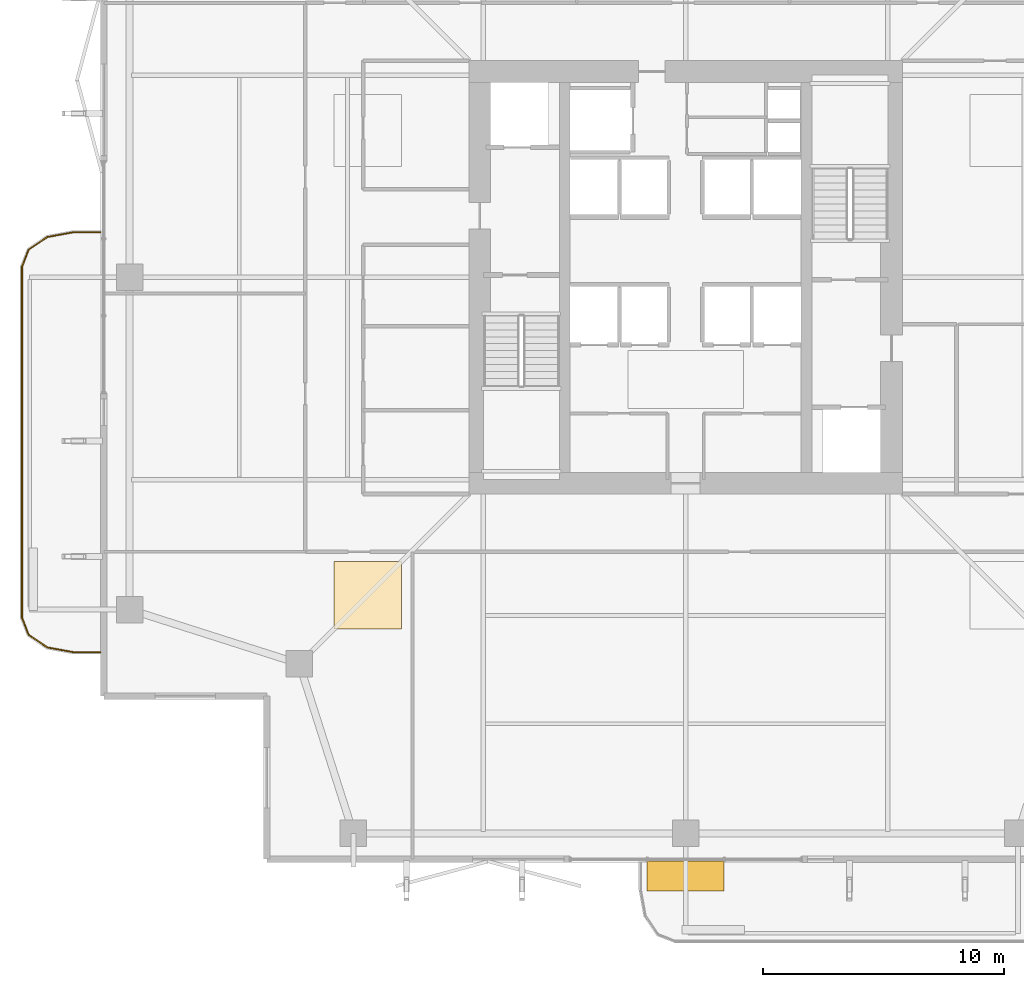
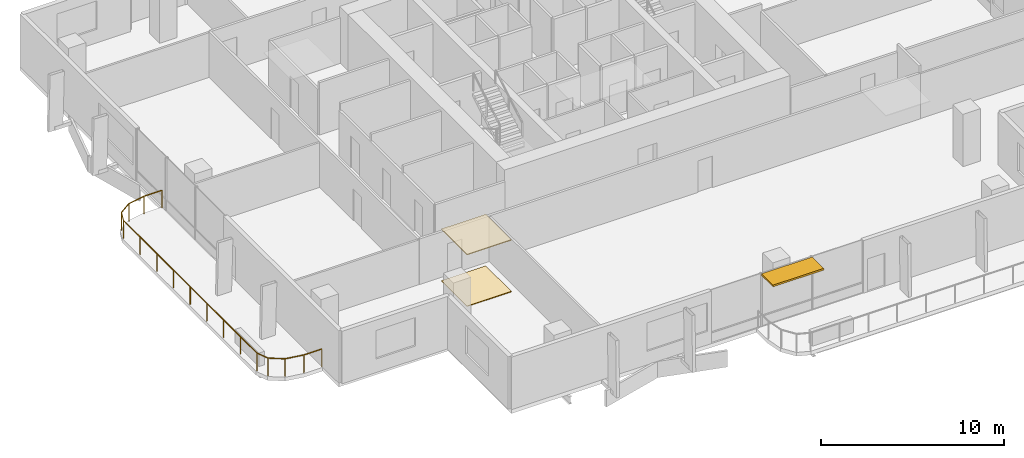
# One storey, part 22 of 25: 2 coverings, 1 railing, 1 shading device.
"""IFC4 building model written with IfcOpenShell, lengths in metres."""

from ifc_helpers import new_model, si_unit, direction, frame, origin, origin_2d, place, context, subcontext, project, spatial, polyline, rectangle, outline, extrude, material, layer, layer_set, type_object, element, save


model = new_model("IFC4")

# Units and contexts
model_context = context("Model", 3, precision=1e-05, world=origin(), true_north=direction((0.0, 1.0)))
body_context = subcontext(model_context, "Body", "Model", "MODEL_VIEW")
ifc_project = project(units=[si_unit("LENGTHUNIT", "METRE"), si_unit("AREAUNIT", "SQUARE_METRE"), si_unit("VOLUMEUNIT", "CUBIC_METRE"), si_unit("PLANEANGLEUNIT", "RADIAN"), si_unit("MASSUNIT", "GRAM", prefix="KILO")], contexts=[model_context])

# Site, building, storey
site_placement = place(None, origin())
site = spatial("IfcSite", under=ifc_project, at=site_placement, CompositionType="ELEMENT")
building_placement = place(site_placement, origin())
building = spatial("IfcBuilding", under=site, at=building_placement, Name="Belovzor Exchange Tower", CompositionType="ELEMENT")
storey_placement = place(building_placement, frame((0.0, 0.0, 164.550048828125)))
storey = spatial("IfcBuildingStorey", under=building, at=storey_placement, Name="L40", CompositionType="ELEMENT", Elevation=164.550048828125)

# Railing
ifc_material_1 = material(Name="Stainless Steel and Laminated Safety Glass", Category="steel")
railing_type = type_object("IfcRailingType", Name="Laminated Glass & Stainless Steel Balcony Balustrade 1200", PredefinedType="BALUSTRADE", material=ifc_material_1)
railing_placement = place(storey_placement, frame((4.489990234375, 30.669921875, 0.0)))
element("IfcRailing", 1, at=railing_placement, inside=storey, type_object=railing_type, Name="GR-1 Balcony Balustrade L40 West", PredefinedType="BALUSTRADE", context=body_context, shape_type="SweptSolid", body=[
    extrude(rectangle(XDim=0.048095703125, YDim=0.048095703125, at=origin_2d()), frame((0.0, 0.0, 1.17578125), z_axis=(-1.0, 0.0, 0.0), x_axis=(0.0, -1.0, 0.0)), (0.0, 0.0, 1.0), 1.133056640625),
    extrude(rectangle(XDim=0.048095703125, YDim=0.048095703125, at=origin_2d()), frame((-1.133056640625, 0.0, 1.17578125), z_axis=(-0.983644145941, -0.180122719713, 0.0), x_axis=(0.180122719713, -0.983644145941, 0.0)), (0.0, 0.0, 1.0), 1.09375),
    extrude(rectangle(XDim=0.048095703125, YDim=0.048095703125, at=origin_2d()), frame((-2.208984375, -0.197021484375, 1.17578125), z_axis=(-0.826614792125, -0.562768145367, 0.0), x_axis=(0.562768145367, -0.826614792125, 0.0)), (0.0, 0.0, 1.0), 0.9326171875),
    extrude(rectangle(XDim=0.048095703125, YDim=0.048095703125, at=origin_2d()), frame((-2.97998046875, -0.721923828125, 1.17578125), z_axis=(-0.365612923861, -0.930766990125, 0.0), x_axis=(0.930766990125, -0.365612923861, 0.0)), (0.0, 0.0, 1.0), 0.765869140625),
    extrude(rectangle(XDim=0.048095703125, YDim=0.048095703125, at=origin_2d()), frame((-3.260009765625, -1.434814453125, 1.17578125), z_axis=(0.0, -1.0, 0.0), x_axis=(1.0, 0.0, 0.0)), (0.0, 0.0, 1.0), 14.570068359375),
    extrude(rectangle(XDim=0.048095703125, YDim=0.048095703125, at=origin_2d()), frame((-3.260009765625, -16.0048828125, 1.17578125), z_axis=(0.365504480807, -0.930809580156, 0.0), x_axis=(0.930809580156, 0.365504480807, 0.0)), (0.0, 0.0, 1.0), 0.76611328125),
    extrude(rectangle(XDim=0.048095703125, YDim=0.048095703125, at=origin_2d()), frame((-2.97998046875, -16.718017578125, 1.17578125), z_axis=(0.826614792125, -0.562768145367, 0.0), x_axis=(0.562768145367, 0.826614792125, 0.0)), (0.0, 0.0, 1.0), 0.9326171875),
    extrude(rectangle(XDim=0.048095703125, YDim=0.048095703125, at=origin_2d()), frame((-2.208984375, -17.242919921875, 1.17578125), z_axis=(0.983644145941, -0.180122719713, 0.0), x_axis=(0.180122719713, 0.983644145941, 0.0)), (0.0, 0.0, 1.0), 1.09375),
    extrude(rectangle(XDim=0.048095703125, YDim=0.048095703125, at=origin_2d()), frame((-1.133056640625, -17.43994140625, 1.17578125), z_axis=(1.0, 0.0, 0.0), x_axis=(0.0, 1.0, 0.0)), (0.0, 0.0, 1.0), 1.133056640625),
    extrude(rectangle(XDim=0.0419921875, YDim=0.0419921875, at=origin_2d()), origin(), (0.0, 0.0, 1.0), 1.15185546875),
    extrude(rectangle(XDim=0.0419921875, YDim=0.0419921875, at=origin_2d()), frame((-1.133056640625, 0.0, 0.0)), (0.0, 0.0, 1.0), 1.15185546875),
    extrude(rectangle(XDim=0.0419921875, YDim=0.0419921875, at=origin_2d()), frame((-2.208984375, -0.197021484375, 0.0)), (0.0, 0.0, 1.0), 1.15185546875),
    extrude(rectangle(XDim=0.0419921875, YDim=0.0419921875, at=origin_2d()), frame((-2.97998046875, -0.721923828125, 0.0)), (0.0, 0.0, 1.0), 1.15185546875),
    extrude(rectangle(XDim=0.0419921875, YDim=0.0419921875, at=origin_2d()), frame((-3.260009765625, -1.434814453125, 0.0)), (0.0, 0.0, 1.0), 1.15185546875),
    extrude(rectangle(XDim=0.0419921875, YDim=0.0419921875, at=origin_2d()), frame((-3.260009765625, -3.256103515625, 0.0)), (0.0, 0.0, 1.0), 1.15185546875),
    extrude(rectangle(XDim=0.0419921875, YDim=0.0419921875, at=origin_2d()), frame((-3.260009765625, -5.077392578125, 0.0)), (0.0, 0.0, 1.0), 1.15185546875),
    extrude(rectangle(XDim=0.0419921875, YDim=0.0419921875, at=origin_2d()), frame((-3.260009765625, -6.898681640625, 0.0)), (0.0, 0.0, 1.0), 1.15185546875),
    extrude(rectangle(XDim=0.0419921875, YDim=0.0419921875, at=origin_2d()), frame((-3.260009765625, -8.7197265625, 0.0)), (0.0, 0.0, 1.0), 1.15185546875),
    extrude(rectangle(XDim=0.0419921875, YDim=0.0419921875, at=origin_2d()), frame((-3.260009765625, -10.541015625, 0.0)), (0.0, 0.0, 1.0), 1.15185546875),
    extrude(rectangle(XDim=0.0419921875, YDim=0.0419921875, at=origin_2d()), frame((-3.260009765625, -12.3623046875, 0.0)), (0.0, 0.0, 1.0), 1.15185546875),
    extrude(rectangle(XDim=0.0419921875, YDim=0.0419921875, at=origin_2d()), frame((-3.260009765625, -14.18359375, 0.0)), (0.0, 0.0, 1.0), 1.15185546875),
    extrude(rectangle(XDim=0.0419921875, YDim=0.0419921875, at=origin_2d()), frame((-3.260009765625, -16.0048828125, 0.0)), (0.0, 0.0, 1.0), 1.15185546875),
    extrude(rectangle(XDim=0.0419921875, YDim=0.0419921875, at=origin_2d()), frame((-2.97998046875, -16.718017578125, 0.0)), (0.0, 0.0, 1.0), 1.15185546875),
    extrude(rectangle(XDim=0.0419921875, YDim=0.0419921875, at=origin_2d()), frame((-2.208984375, -17.242919921875, 0.0)), (0.0, 0.0, 1.0), 1.15185546875),
    extrude(rectangle(XDim=0.0419921875, YDim=0.0419921875, at=origin_2d()), frame((-1.133056640625, -17.43994140625, 0.0)), (0.0, 0.0, 1.0), 1.15185546875),
    extrude(rectangle(XDim=0.0419921875, YDim=0.0419921875, at=origin_2d()), frame((0.0, -17.43994140625, 0.0)), (0.0, 0.0, 1.0), 1.15185546875),
])

# Coverings
ifc_material_2 = material(Name="Perforated Powder-Coated Aluminium", Category="aluminium")
ifc_layer_1 = layer(ifc_material_2, 0.06005859375)
ifc_layer_set_1 = layer_set([ifc_layer_1], Name="Perforated Powder-Coated Aluminium")
covering_type_1 = type_object("IfcCoveringType", Name="Perforated Acoustic Metal Tile Suspended Ceiling 60", PredefinedType="CEILING", material=ifc_layer_set_1)
covering_1_placement = place(storey_placement, frame((0.0, 0.0, 3.43505859375)))
element("IfcCovering", 2, at=covering_1_placement, inside=storey, type_object=covering_type_1, Name="CLG-AC60 Suspended Ceiling CLG-L40-Z0", PredefinedType="CEILING", context=body_context, shape_type="SweptSolid", body=[
    extrude(outline(polyline([(14.199951171875, 14.199951171875), (17.0, 14.199951171875), (17.0, 17.0), (14.199951171875, 17.0), (14.199951171875, 14.199951171875)])), origin(), (0.0, 0.0, 1.0), 0.059814453125),
])
ifc_material_3 = material(Name="Polished Natural Granite Tile", Category="masonry")
ifc_layer_2 = layer(ifc_material_3, 0.050048828125)
ifc_layer_set_2 = layer_set([ifc_layer_2], Name="Polished Natural Granite Tile")
covering_type_2 = type_object("IfcCoveringType", Name="Polished Karelian Granite & Raised Access Floor Finish 50", PredefinedType="FLOORING", material=ifc_layer_set_2)
covering_2_placement = place(storey_placement, origin())
element("IfcCovering", 3, at=covering_2_placement, inside=storey, type_object=covering_type_2, Name="FLR-GR50 Floor Finish FLR-L40-Z0", PredefinedType="FLOORING", context=body_context, shape_type="SweptSolid", body=[
    extrude(outline(polyline([(14.199951171875, 14.199951171875), (17.0, 14.199951171875), (17.0, 17.0), (14.199951171875, 17.0), (14.199951171875, 14.199951171875)])), origin(), (0.0, 0.0, 1.0), 0.050048828125),
])

# Shading device
ifc_material_4 = material(Name="Extruded Architectural Terracotta", Category="masonry")
ifc_layer_3 = layer(ifc_material_4, 0.1201171875)
ifc_layer_set_3 = layer_set([ifc_layer_3], Name="Extruded Architectural Terracotta")
shading_device_type = type_object("IfcShadingDeviceType", Name="Streamline Terracotta Horizontal Sunshade Hood 1250", PredefinedType="AWNING", material=ifc_layer_set_3)
shading_device_placement = place(storey_placement, frame((28.800048828125, 3.93505859375, 3.375), z_axis=(0.0, 0.0, 1.0), x_axis=(1.0, 0.0, 0.0)))
element("IfcShadingDevice", 4, at=shading_device_placement, inside=storey, type_object=shading_device_type, Name="SHD-TC125 Terracotta Sunshade L40 S", PredefinedType="AWNING", context=body_context, shape_type="SweptSolid", body=[
    extrude(rectangle(XDim=3.199951171875, YDim=1.25, at=origin_2d()), origin(), (0.0, 0.0, 1.0), 0.1201171875),
])

save(model, "model.ifc")
